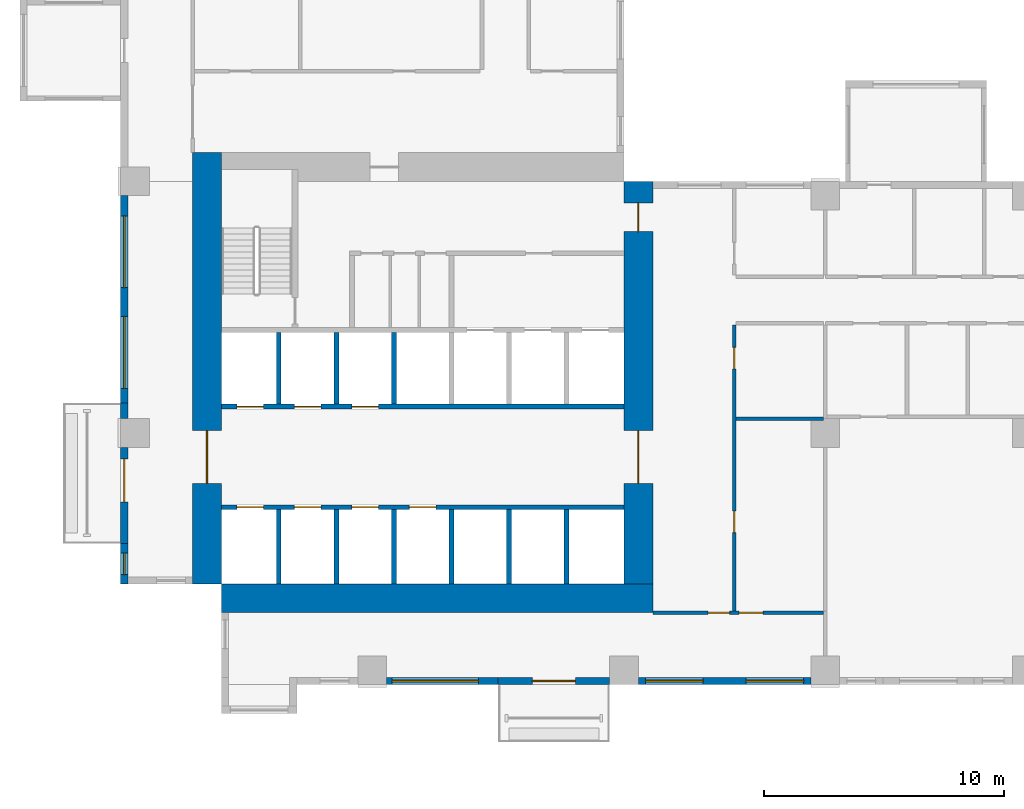
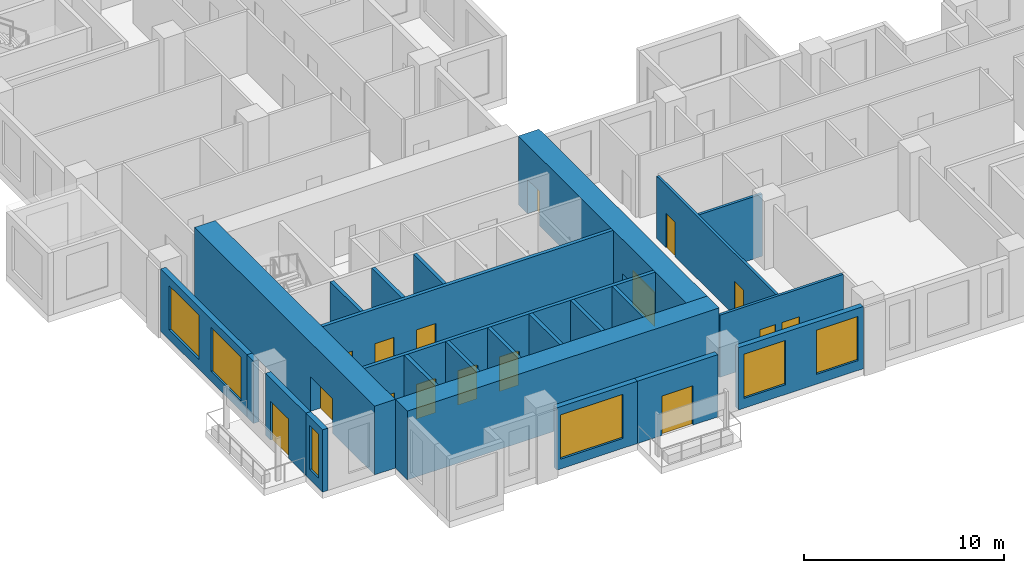
# One storey, part 2 of 14: 24 walls, 16 doors, 6 windows, 22 openings.
"""IFC4 building model written with IfcOpenShell, lengths in metres."""

from ifc_helpers import new_model, si_unit, direction, frame, frame_2d, origin, place, context, subcontext, project, spatial, rectangle, extrude, source, transform, mapped, material, layer, layer_set, type_object, element, fill, save


model = new_model("IFC4")

# Units and contexts
model_context = context("Model", 3, precision=1e-05, world=origin(), true_north=direction((0.0, 1.0)))
body_context = subcontext(model_context, "Body", "Model", "MODEL_VIEW")
ifc_project = project(units=[si_unit("LENGTHUNIT", "METRE"), si_unit("AREAUNIT", "SQUARE_METRE"), si_unit("VOLUMEUNIT", "CUBIC_METRE"), si_unit("PLANEANGLEUNIT", "RADIAN"), si_unit("MASSUNIT", "GRAM", prefix="KILO")], contexts=[model_context])

# Site, building, storey
site_placement = place(None, origin())
site = spatial("IfcSite", under=ifc_project, at=site_placement, CompositionType="ELEMENT")
building_placement = place(site_placement, origin())
building = spatial("IfcBuilding", under=site, at=building_placement, Name="Aurelian Terraces", CompositionType="ELEMENT")
storey_placement = place(building_placement, frame((0.0, 0.0, 90.9)))
storey = spatial("IfcBuildingStorey", under=building, at=storey_placement, Name="L19", CompositionType="ELEMENT", Elevation=90.9)

# Wall
ifc_material_1 = material(Name="Gypsum board on steel studs", Category="steel")
ifc_layer_1 = layer(ifc_material_1, 0.15)
ifc_layer_set_1 = layer_set([ifc_layer_1], Name="Partition 150")
wall_type_1 = type_object("IfcWallType", Name="Partition 150", PredefinedType="PARTITIONING", material=ifc_layer_set_1)
wall_1_placement = place(storey_placement, frame((29.325, 11.1, 0.0), z_axis=(0.0, 0.0, 1.0), x_axis=(-1.0, 0.0, 0.0)))
element("IfcWall", 1, at=wall_1_placement, inside=storey, type_object=wall_type_1, Name="Partition", PredefinedType="PARTITIONING", context=body_context, shape_type="SweptSolid", body=[
    extrude(rectangle(XDim=3.65, YDim=0.15, at=frame_2d((1.825, 0.0))), origin(), (0.0, 0.0, 1.0), 3.8),
])

# Wall, opening, door
ifc_material_2 = material(Name="Concrete fc' 83 MPa", Category="concrete")
ifc_layer_2 = layer(ifc_material_2, 1.2)
ifc_layer_set_2 = layer_set([ifc_layer_2], Name="CORE WALL 1200 FC83")
wall_type_2 = type_object("IfcWallType", Name="CORE WALL 1200 FC83", PredefinedType="SHEAR", material=ifc_layer_set_2)
shared_shape_1 = source(origin(), body_context, "Body", "SweptSolid", [
    extrude(rectangle(XDim=18.0, YDim=1.2, at=frame_2d((9.0, 0.0))), origin(), (0.0, 0.0, 1.0), 4.2),
])
wall_2_placement = place(storey_placement, frame((3.6, 4.2, 0.0), z_axis=(0.0, 0.0, 1.0), x_axis=(0.0, 1.0, 0.0)))
wall_2 = element("IfcWall", 2, at=wall_2_placement, inside=storey, type_object=wall_type_2, Name="Core wall W L19", PredefinedType="SHEAR", context=body_context, shape_type="MappedRepresentation", body=[
    mapped(shared_shape_1, transform((0.0, 0.0, 0.0), scale=1.0)),
])
shared_shape_2 = source(origin(), body_context, "Body", "SweptSolid", [
    extrude(rectangle(XDim=2.2, YDim=2.1, at=frame_2d((1.1, 1.05))), frame((0.0, 0.61, 0.0), z_axis=(0.0, -1.0, 0.0), x_axis=(1.0, 0.0, 0.0)), (0.0, 0.0, 1.0), 1.22),
])
opening_1_placement = place(wall_2_placement, frame((4.2, 0.0, 0.0)))
opening_1 = element("IfcOpeningElement", 3, at=opening_1_placement, cuts=wall_2, Name="Opening 62222", PredefinedType="OPENING", context=body_context, shape_type="MappedRepresentation", body=[
    mapped(shared_shape_2, transform((0.0, 0.0, 0.0), scale=1.0)),
])
ifc_material_3 = material(Name="Steel door leaf", Category="steel")
door_type_1 = type_object("IfcDoorType", Name="Core double door 2200x2100", OperationType="DOUBLE_DOOR_SINGLE_SWING", PredefinedType="DOOR", material=ifc_material_3)
shared_shape_3 = source(origin(), body_context, "Body", "SweptSolid", [
    extrude(rectangle(XDim=2.2, YDim=2.1, at=frame_2d((1.1, 1.05))), frame((0.0, 0.025, 0.0), z_axis=(0.0, -1.0, 0.0), x_axis=(1.0, 0.0, 0.0)), (0.0, 0.0, 1.0), 0.05),
])
door_1_placement = place(opening_1_placement, origin())
door_1 = element("IfcDoor", 4, at=door_1_placement, inside=storey, type_object=door_type_1, Name="Core door 62222", OperationType="DOUBLE_DOOR_SINGLE_SWING", OverallHeight=2.1, OverallWidth=2.2, PredefinedType="DOOR", context=body_context, shape_type="MappedRepresentation", body=[
    mapped(shared_shape_3, transform((0.0, 0.0, 0.0), scale=1.0)),
])
fill(opening_1, door_1)

# Wall
wall_3_placement = place(storey_placement, frame((4.2, 3.6, 0.0), z_axis=(0.0, 0.0, 1.0), x_axis=(1.0, 0.0, 0.0)))
element("IfcWall", 5, at=wall_3_placement, inside=storey, type_object=wall_type_2, Name="Core wall S L19", PredefinedType="SHEAR", context=body_context, shape_type="MappedRepresentation", body=[
    mapped(shared_shape_1, transform((0.0, 0.0, 0.0), scale=1.0)),
])

# Wall, openings, doors
shared_shape_4 = source(origin(), body_context, "Body", "SweptSolid", [
    extrude(rectangle(XDim=16.8, YDim=1.2, at=frame_2d((8.4, 0.0))), origin(), (0.0, 0.0, 1.0), 4.2),
])
wall_4_placement = place(storey_placement, frame((21.6, 4.2, 0.0), z_axis=(0.0, 0.0, 1.0), x_axis=(0.0, 1.0, 0.0)))
wall_4 = element("IfcWall", 6, at=wall_4_placement, inside=storey, type_object=wall_type_2, Name="Core wall E L19", PredefinedType="SHEAR", context=body_context, shape_type="MappedRepresentation", body=[
    mapped(shared_shape_4, transform((0.0, 0.0, 0.0), scale=1.0)),
])
opening_2_placement = place(wall_4_placement, frame((4.2, 0.0, 0.0)))
opening_2 = element("IfcOpeningElement", 7, at=opening_2_placement, cuts=wall_4, Name="Opening 62221", PredefinedType="OPENING", context=body_context, shape_type="MappedRepresentation", body=[
    mapped(shared_shape_2, transform((0.0, 0.0, 0.0), scale=1.0)),
])
shared_shape_5 = source(origin(), body_context, "Body", "SweptSolid", [
    extrude(rectangle(XDim=1.2, YDim=2.1, at=frame_2d((0.6, 1.05))), frame((0.0, 0.61, 0.0), z_axis=(0.0, -1.0, 0.0), x_axis=(1.0, 0.0, 0.0)), (0.0, 0.0, 1.0), 1.22),
])
opening_3_placement = place(wall_4_placement, frame((14.7, 0.0, 0.0)))
opening_3 = element("IfcOpeningElement", 8, at=opening_3_placement, cuts=wall_4, Name="Opening 62224", PredefinedType="OPENING", context=body_context, shape_type="MappedRepresentation", body=[
    mapped(shared_shape_5, transform((0.0, 0.0, 0.0), scale=1.0)),
])
door_type_2 = type_object("IfcDoorType", Name="Core fire door 1200x2100 right", OperationType="SINGLE_SWING_RIGHT", PredefinedType="DOOR", material=ifc_material_3)
shared_shape_6 = source(origin(), body_context, "Body", "SweptSolid", [
    extrude(rectangle(XDim=1.2, YDim=2.1, at=frame_2d((0.6, 1.05))), frame((0.0, 0.025, 0.0), z_axis=(0.0, -1.0, 0.0), x_axis=(1.0, 0.0, 0.0)), (0.0, 0.0, 1.0), 0.05),
])
door_2_placement = place(opening_3_placement, origin())
door_2 = element("IfcDoor", 9, at=door_2_placement, inside=storey, type_object=door_type_2, Name="Core door 62224", OperationType="SINGLE_SWING_RIGHT", OverallHeight=2.1, OverallWidth=1.2, PredefinedType="DOOR", context=body_context, shape_type="MappedRepresentation", body=[
    mapped(shared_shape_6, transform((0.0, 0.0, 0.0), scale=1.0)),
])
fill(opening_3, door_2)
door_3_placement = place(opening_2_placement, origin())
door_3 = element("IfcDoor", 10, at=door_3_placement, inside=storey, type_object=door_type_1, Name="Core door 62221", OperationType="DOUBLE_DOOR_SINGLE_SWING", OverallHeight=2.1, OverallWidth=2.2, PredefinedType="DOOR", context=body_context, shape_type="MappedRepresentation", body=[
    mapped(shared_shape_3, transform((0.0, 0.0, 0.0), scale=1.0)),
])
fill(opening_2, door_3)

# Wall, opening, window
ifc_material_4 = material(Name="Terracotta rainscreen cladding", Category="masonry")
ifc_layer_3 = layer(ifc_material_4, 0.3)
ifc_layer_set_3 = layer_set([ifc_layer_3], Name="EW-300")
wall_type_3 = type_object("IfcWallType", Name="EW-300", PredefinedType="STANDARD", material=ifc_layer_set_3)
shared_shape_7 = source(origin(), body_context, "Body", "SweptSolid", [
    extrude(rectangle(XDim=4.65, YDim=0.3, at=frame_2d((2.325, 0.0))), origin(), (0.0, 0.0, 1.0), 3.8),
])
wall_5_placement = place(storey_placement, frame((11.1, 0.15, 0.0), z_axis=(0.0, 0.0, 1.0), x_axis=(1.0, 0.0, 0.0)))
wall_5 = element("IfcWall", 11, at=wall_5_placement, inside=storey, type_object=wall_type_3, Name="External wall L19 F01.3", PredefinedType="STANDARD", context=body_context, shape_type="MappedRepresentation", body=[
    mapped(shared_shape_7, transform((0.0, 0.0, 0.0), scale=1.0)),
])
shared_shape_8 = source(origin(), body_context, "Body", "SweptSolid", [
    extrude(rectangle(XDim=3.6, YDim=2.7, at=frame_2d((1.8, 1.35))), frame((0.0, 0.16, 0.0), z_axis=(0.0, -1.0, 0.0), x_axis=(1.0, 0.0, 0.0)), (0.0, 0.0, 1.0), 0.32),
])
opening_4_placement = place(wall_5_placement, frame((0.225, 0.0, 0.6)))
opening_4 = element("IfcOpeningElement", 12, at=opening_4_placement, cuts=wall_5, Name="Opening W3627", PredefinedType="OPENING", context=body_context, shape_type="MappedRepresentation", body=[
    mapped(shared_shape_8, transform((0.0, 0.0, 0.0), scale=1.0)),
])
ifc_material_5 = material(Name="Clear glazing", Category="glass")
window_type_1 = type_object("IfcWindowType", Name="W-3600x2700", PartitioningType="SINGLE_PANEL", PredefinedType="WINDOW", material=ifc_material_5)
shared_shape_9 = source(origin(), body_context, "Body", "SweptSolid", [
    extrude(rectangle(XDim=3.6, YDim=2.7, at=frame_2d((1.8, 1.35))), frame((0.0, 0.03, 0.0), z_axis=(0.0, -1.0, 0.0), x_axis=(1.0, 0.0, 0.0)), (0.0, 0.0, 1.0), 0.06),
])
window_1_placement = place(opening_4_placement, origin())
window_1 = element("IfcWindow", 13, at=window_1_placement, inside=storey, type_object=window_type_1, Name="Window L19 L19-F01-03-0", OverallHeight=2.7, OverallWidth=3.6, PartitioningType="SINGLE_PANEL", PredefinedType="WINDOW", context=body_context, shape_type="MappedRepresentation", body=[
    mapped(shared_shape_9, transform((0.0, 0.0, 0.0), scale=1.0)),
])
fill(opening_4, window_1)

# Wall, opening, door
wall_6_placement = place(storey_placement, frame((15.75, 0.15, 0.0), z_axis=(0.0, 0.0, 1.0), x_axis=(1.0, 0.0, 0.0)))
wall_6 = element("IfcWall", 14, at=wall_6_placement, inside=storey, type_object=wall_type_3, Name="External wall L19 F01.4", PredefinedType="STANDARD", context=body_context, shape_type="MappedRepresentation", body=[
    mapped(shared_shape_7, transform((0.0, 0.0, 0.0), scale=1.0)),
])
shared_shape_10 = source(origin(), body_context, "Body", "SweptSolid", [
    extrude(rectangle(XDim=1.8, YDim=2.4, at=frame_2d((0.9, 1.2))), frame((0.0, 0.16, 0.0), z_axis=(0.0, -1.0, 0.0), x_axis=(1.0, 0.0, 0.0)), (0.0, 0.0, 1.0), 0.32),
])
opening_5_placement = place(wall_6_placement, frame((1.425, 0.0, 0.0)))
opening_5 = element("IfcOpeningElement", 15, at=opening_5_placement, cuts=wall_6, Name="Opening 81901", PredefinedType="OPENING", context=body_context, shape_type="MappedRepresentation", body=[
    mapped(shared_shape_10, transform((0.0, 0.0, 0.0), scale=1.0)),
])
door_type_3 = type_object("IfcDoorType", Name="BD-1800x2400", OperationType="SLIDING_TO_LEFT", PredefinedType="DOOR", material=ifc_material_5)
shared_shape_11 = source(origin(), body_context, "Body", "SweptSolid", [
    extrude(rectangle(XDim=1.8, YDim=2.4, at=frame_2d((0.9, 1.2))), frame((0.0, 0.025, 0.0), z_axis=(0.0, -1.0, 0.0), x_axis=(1.0, 0.0, 0.0)), (0.0, 0.0, 1.0), 0.05),
])
door_4_placement = place(opening_5_placement, origin())
door_4 = element("IfcDoor", 16, at=door_4_placement, inside=storey, type_object=door_type_3, Name="Balcony door L19 F01.4", OperationType="SLIDING_TO_LEFT", OverallHeight=2.4, OverallWidth=1.8, PredefinedType="DOOR", context=body_context, shape_type="MappedRepresentation", body=[
    mapped(shared_shape_11, transform((0.0, 0.0, 0.0), scale=1.0)),
])
fill(opening_5, door_4)

# Wall, openings, windows
shared_shape_12 = source(origin(), body_context, "Body", "SweptSolid", [
    extrude(rectangle(XDim=7.2, YDim=0.3, at=frame_2d((3.6, 0.0))), origin(), (0.0, 0.0, 1.0), 3.8),
])
wall_7_placement = place(storey_placement, frame((21.6, 0.15, 0.0), z_axis=(0.0, 0.0, 1.0), x_axis=(1.0, 0.0, 0.0)))
wall_7 = element("IfcWall", 17, at=wall_7_placement, inside=storey, type_object=wall_type_3, Name="External wall L19 F01.5", PredefinedType="STANDARD", context=body_context, shape_type="MappedRepresentation", body=[
    mapped(shared_shape_12, transform((0.0, 0.0, 0.0), scale=1.0)),
])
shared_shape_13 = source(origin(), body_context, "Body", "SweptSolid", [
    extrude(rectangle(XDim=2.4, YDim=2.7, at=frame_2d((1.2, 1.35))), frame((0.0, 0.16, 0.0), z_axis=(0.0, -1.0, 0.0), x_axis=(1.0, 0.0, 0.0)), (0.0, 0.0, 1.0), 0.32),
])
opening_6_placement = place(wall_7_placement, frame((0.3, 0.0, 0.6)))
opening_6 = element("IfcOpeningElement", 18, at=opening_6_placement, cuts=wall_7, Name="Opening W2427", PredefinedType="OPENING", context=body_context, shape_type="MappedRepresentation", body=[
    mapped(shared_shape_13, transform((0.0, 0.0, 0.0), scale=1.0)),
])
opening_7_placement = place(wall_7_placement, frame((4.5, 0.0, 0.6)))
opening_7 = element("IfcOpeningElement", 19, at=opening_7_placement, cuts=wall_7, Name="Opening W2427", PredefinedType="OPENING", context=body_context, shape_type="MappedRepresentation", body=[
    mapped(shared_shape_13, transform((0.0, 0.0, 0.0), scale=1.0)),
])
window_type_2 = type_object("IfcWindowType", Name="W-2400x2700", PartitioningType="SINGLE_PANEL", PredefinedType="WINDOW", material=ifc_material_5)
shared_shape_14 = source(origin(), body_context, "Body", "SweptSolid", [
    extrude(rectangle(XDim=2.4, YDim=2.7, at=frame_2d((1.2, 1.35))), frame((0.0, 0.03, 0.0), z_axis=(0.0, -1.0, 0.0), x_axis=(1.0, 0.0, 0.0)), (0.0, 0.0, 1.0), 0.06),
])
window_2_placement = place(opening_6_placement, origin())
window_2 = element("IfcWindow", 20, at=window_2_placement, inside=storey, type_object=window_type_2, Name="Window L19 L19-F01-05-0", OverallHeight=2.7, OverallWidth=2.4, PartitioningType="SINGLE_PANEL", PredefinedType="WINDOW", context=body_context, shape_type="MappedRepresentation", body=[
    mapped(shared_shape_14, transform((0.0, 0.0, 0.0), scale=1.0)),
])
fill(opening_6, window_2)
window_3_placement = place(opening_7_placement, origin())
window_3 = element("IfcWindow", 21, at=window_3_placement, inside=storey, type_object=window_type_2, Name="Window L19 L19-F01-05-1", OverallHeight=2.7, OverallWidth=2.4, PartitioningType="SINGLE_PANEL", PredefinedType="WINDOW", context=body_context, shape_type="MappedRepresentation", body=[
    mapped(shared_shape_14, transform((0.0, 0.0, 0.0), scale=1.0)),
])
fill(opening_7, window_3)

# Wall, opening, window
shared_shape_15 = source(origin(), body_context, "Body", "SweptSolid", [
    extrude(rectangle(XDim=1.68, YDim=0.3, at=frame_2d((0.84, 0.0))), origin(), (0.0, 0.0, 1.0), 3.8),
])
wall_8_placement = place(storey_placement, frame((0.15, 5.88, 0.0), z_axis=(0.0, 0.0, 1.0), x_axis=(0.0, -1.0, 0.0)))
wall_8 = element("IfcWall", 22, at=wall_8_placement, inside=storey, type_object=wall_type_3, Name="External wall L19 F14.37", PredefinedType="STANDARD", context=body_context, shape_type="MappedRepresentation", body=[
    mapped(shared_shape_15, transform((0.0, 0.0, 0.0), scale=1.0)),
])
shared_shape_16 = source(origin(), body_context, "Body", "SweptSolid", [
    extrude(rectangle(XDim=0.9, YDim=2.7, at=frame_2d((0.45, 1.35))), frame((0.0, 0.16, 0.0), z_axis=(0.0, -1.0, 0.0), x_axis=(1.0, 0.0, 0.0)), (0.0, 0.0, 1.0), 0.32),
])
opening_8_placement = place(wall_8_placement, frame((0.39, 0.0, 0.6)))
opening_8 = element("IfcOpeningElement", 23, at=opening_8_placement, cuts=wall_8, Name="Opening W0927", PredefinedType="OPENING", context=body_context, shape_type="MappedRepresentation", body=[
    mapped(shared_shape_16, transform((0.0, 0.0, 0.0), scale=1.0)),
])
window_type_3 = type_object("IfcWindowType", Name="W-900x2700", PartitioningType="SINGLE_PANEL", PredefinedType="WINDOW", material=ifc_material_5)
shared_shape_17 = source(origin(), body_context, "Body", "SweptSolid", [
    extrude(rectangle(XDim=0.9, YDim=2.7, at=frame_2d((0.45, 1.35))), frame((0.0, 0.03, 0.0), z_axis=(0.0, -1.0, 0.0), x_axis=(1.0, 0.0, 0.0)), (0.0, 0.0, 1.0), 0.06),
])
window_4_placement = place(opening_8_placement, origin())
window_4 = element("IfcWindow", 24, at=window_4_placement, inside=storey, type_object=window_type_3, Name="Window L19 L19-F14-37-P0", OverallHeight=2.7, OverallWidth=0.9, PartitioningType="SINGLE_PANEL", PredefinedType="WINDOW", context=body_context, shape_type="MappedRepresentation", body=[
    mapped(shared_shape_17, transform((0.0, 0.0, 0.0), scale=1.0)),
])
fill(opening_8, window_4)

# Wall, openings, windows
shared_shape_18 = source(origin(), body_context, "Body", "SweptSolid", [
    extrude(rectangle(XDim=8.64, YDim=0.3, at=frame_2d((4.32, 0.0))), origin(), (0.0, 0.0, 1.0), 3.8),
])
wall_9_placement = place(storey_placement, frame((0.15, 20.4, 0.0), z_axis=(0.0, 0.0, 1.0), x_axis=(0.0, -1.0, 0.0)))
wall_9 = element("IfcWall", 25, at=wall_9_placement, inside=storey, type_object=wall_type_3, Name="External wall L19 F14.35", PredefinedType="STANDARD", context=body_context, shape_type="MappedRepresentation", body=[
    mapped(shared_shape_18, transform((0.0, 0.0, 0.0), scale=1.0)),
])
shared_shape_19 = source(origin(), body_context, "Body", "SweptSolid", [
    extrude(rectangle(XDim=3.0, YDim=2.7, at=frame_2d((1.5, 1.35))), frame((0.0, 0.16, 0.0), z_axis=(0.0, -1.0, 0.0), x_axis=(1.0, 0.0, 0.0)), (0.0, 0.0, 1.0), 0.32),
])
opening_9_placement = place(wall_9_placement, frame((0.84, 0.0, 0.6)))
opening_9 = element("IfcOpeningElement", 26, at=opening_9_placement, cuts=wall_9, Name="Opening W3027", PredefinedType="OPENING", context=body_context, shape_type="MappedRepresentation", body=[
    mapped(shared_shape_19, transform((0.0, 0.0, 0.0), scale=1.0)),
])
opening_10_placement = place(wall_9_placement, frame((5.04, 0.0, 0.6)))
opening_10 = element("IfcOpeningElement", 27, at=opening_10_placement, cuts=wall_9, Name="Opening W3027", PredefinedType="OPENING", context=body_context, shape_type="MappedRepresentation", body=[
    mapped(shared_shape_19, transform((0.0, 0.0, 0.0), scale=1.0)),
])
window_type_4 = type_object("IfcWindowType", Name="W-3000x2700", PartitioningType="SINGLE_PANEL", PredefinedType="WINDOW", material=ifc_material_5)
shared_shape_20 = source(origin(), body_context, "Body", "SweptSolid", [
    extrude(rectangle(XDim=3.0, YDim=2.7, at=frame_2d((1.5, 1.35))), frame((0.0, 0.03, 0.0), z_axis=(0.0, -1.0, 0.0), x_axis=(1.0, 0.0, 0.0)), (0.0, 0.0, 1.0), 0.06),
])
window_5_placement = place(opening_9_placement, origin())
window_5 = element("IfcWindow", 28, at=window_5_placement, inside=storey, type_object=window_type_4, Name="Window L19 L19-F14-35-8", OverallHeight=2.7, OverallWidth=3.0, PartitioningType="SINGLE_PANEL", PredefinedType="WINDOW", context=body_context, shape_type="MappedRepresentation", body=[
    mapped(shared_shape_20, transform((0.0, 0.0, 0.0), scale=1.0)),
])
fill(opening_9, window_5)
window_6_placement = place(opening_10_placement, origin())
window_6 = element("IfcWindow", 29, at=window_6_placement, inside=storey, type_object=window_type_4, Name="Window L19 L19-F14-35-9", OverallHeight=2.7, OverallWidth=3.0, PartitioningType="SINGLE_PANEL", PredefinedType="WINDOW", context=body_context, shape_type="MappedRepresentation", body=[
    mapped(shared_shape_20, transform((0.0, 0.0, 0.0), scale=1.0)),
])
fill(opening_10, window_6)

# Wall
shared_shape_21 = source(origin(), body_context, "Body", "SweptSolid", [
    extrude(rectangle(XDim=0.66, YDim=0.3, at=frame_2d((0.33, 0.0))), origin(), (0.0, 0.0, 1.0), 3.8),
])
wall_10_placement = place(storey_placement, frame((0.15, 11.76, 0.0), z_axis=(0.0, 0.0, 1.0), x_axis=(0.0, -1.0, 0.0)))
element("IfcWall", 30, at=wall_10_placement, inside=storey, type_object=wall_type_3, Name="External wall L19 F14.36", PredefinedType="STANDARD", context=body_context, shape_type="MappedRepresentation", body=[
    mapped(shared_shape_21, transform((0.0, 0.0, 0.0), scale=1.0)),
])

# Wall, opening, door
shared_shape_22 = source(origin(), body_context, "Body", "SweptSolid", [
    extrude(rectangle(XDim=4.02, YDim=0.3, at=frame_2d((2.01, 0.0))), origin(), (0.0, 0.0, 1.0), 3.8),
])
wall_11_placement = place(storey_placement, frame((0.15, 9.9, 0.0), z_axis=(0.0, 0.0, 1.0), x_axis=(0.0, -1.0, 0.0)))
wall_11 = element("IfcWall", 31, at=wall_11_placement, inside=storey, type_object=wall_type_3, Name="External wall L19 F14.36", PredefinedType="STANDARD", context=body_context, shape_type="MappedRepresentation", body=[
    mapped(shared_shape_22, transform((0.0, 0.0, 0.0), scale=1.0)),
])
opening_11_placement = place(wall_11_placement, frame((0.48, 0.0, 0.0)))
opening_11 = element("IfcOpeningElement", 32, at=opening_11_placement, cuts=wall_11, Name="Opening 81905", PredefinedType="OPENING", context=body_context, shape_type="MappedRepresentation", body=[
    mapped(shared_shape_10, transform((0.0, 0.0, 0.0), scale=1.0)),
])
door_5_placement = place(opening_11_placement, origin())
door_5 = element("IfcDoor", 33, at=door_5_placement, inside=storey, type_object=door_type_3, Name="Balcony door L19 F14.36", OperationType="SLIDING_TO_LEFT", OverallHeight=2.4, OverallWidth=1.8, PredefinedType="DOOR", context=body_context, shape_type="MappedRepresentation", body=[
    mapped(shared_shape_11, transform((0.0, 0.0, 0.0), scale=1.0)),
])
fill(opening_11, door_5)

# Walls
ifc_material_6 = material(Name="Concrete fc' 40 MPa", Category="concrete")
ifc_layer_4 = layer(ifc_material_6, 0.2)
ifc_layer_set_4 = layer_set([ifc_layer_4], Name="Lift shaft wall 200")
wall_type_4 = type_object("IfcWallType", Name="Lift shaft wall 200", PredefinedType="SOLIDWALL", material=ifc_layer_set_4)
shared_shape_23 = source(origin(), body_context, "Body", "SweptSolid", [
    extrude(rectangle(XDim=3.1, YDim=0.2, at=frame_2d((1.55, 0.0))), origin(), (0.0, 0.0, 1.0), 4.2),
])
for number, where, z_axis, x_axis, name in (
    (34, (6.6, 4.2, 0.0), (0.0, 0.0, 1.0), (0.0, 1.0, 0.0), "L19 core wall CD-A1"),
    (35, (9.0, 4.2, 0.0), (0.0, 0.0, 1.0), (0.0, 1.0, 0.0), "L19 core wall CD-A2"),
    (36, (11.4, 4.2, 0.0), (0.0, 0.0, 1.0), (0.0, 1.0, 0.0), "L19 core wall CD-A3"),
    (37, (13.8, 4.2, 0.0), (0.0, 0.0, 1.0), (0.0, 1.0, 0.0), "L19 core wall CD-A4"),
    (38, (16.2, 4.2, 0.0), (0.0, 0.0, 1.0), (0.0, 1.0, 0.0), "L19 core wall CD-A5"),
    (39, (18.6, 4.2, 0.0), (0.0, 0.0, 1.0), (0.0, 1.0, 0.0), "L19 core wall CD-A6"),
):
    element("IfcWall", number, at=place(storey_placement, frame(where, z_axis=z_axis, x_axis=x_axis)), inside=storey, type_object=wall_type_4, Name=name, PredefinedType="SOLIDWALL", context=body_context, shape_type="MappedRepresentation", body=[
        mapped(shared_shape_23, transform((0.0, 0.0, 0.0), scale=1.0)),
    ])
shared_shape_24 = source(origin(), body_context, "Body", "SweptSolid", [
    extrude(rectangle(XDim=3.0, YDim=0.2, at=frame_2d((1.5, 0.0))), origin(), (0.0, 0.0, 1.0), 4.2),
])
for number, where, z_axis, x_axis, name in (
    (40, (6.6, 11.7, 0.0), (0.0, 0.0, 1.0), (0.0, 1.0, 0.0), "L19 core wall CD-B1"),
    (41, (9.0, 11.7, 0.0), (0.0, 0.0, 1.0), (0.0, 1.0, 0.0), "L19 core wall CD-B2"),
    (42, (11.4, 11.7, 0.0), (0.0, 0.0, 1.0), (0.0, 1.0, 0.0), "L19 core wall CD-B3"),
):
    element("IfcWall", number, at=place(storey_placement, frame(where, z_axis=z_axis, x_axis=x_axis)), inside=storey, type_object=wall_type_4, Name=name, PredefinedType="SOLIDWALL", context=body_context, shape_type="MappedRepresentation", body=[
        mapped(shared_shape_24, transform((0.0, 0.0, 0.0), scale=1.0)),
    ])

# Wall, openings, doors
shared_shape_25 = source(origin(), body_context, "Body", "SweptSolid", [
    extrude(rectangle(XDim=16.8, YDim=0.2, at=frame_2d((8.4, 0.0))), origin(), (0.0, 0.0, 1.0), 4.2),
])
wall_12_placement = place(storey_placement, frame((4.2, 7.4, 0.0), z_axis=(0.0, 0.0, 1.0), x_axis=(1.0, 0.0, 0.0)))
wall_12 = element("IfcWall", 43, at=wall_12_placement, inside=storey, type_object=wall_type_4, Name="L19 core wall CF-AF1", PredefinedType="SOLIDWALL", context=body_context, shape_type="MappedRepresentation", body=[
    mapped(shared_shape_25, transform((0.0, 0.0, 0.0), scale=1.0)),
])
shared_shape_26 = source(origin(), body_context, "Body", "SweptSolid", [
    extrude(rectangle(XDim=1.1, YDim=2.1, at=frame_2d((0.55, 1.05))), frame((0.0, 0.11, 0.0), z_axis=(0.0, -1.0, 0.0), x_axis=(1.0, 0.0, 0.0)), (0.0, 0.0, 1.0), 0.22),
])
opening_12_placement = place(wall_12_placement, frame((0.65, 0.0, 0.0)))
opening_12 = element("IfcOpeningElement", 44, at=opening_12_placement, cuts=wall_12, Name="Opening 62200", PredefinedType="OPENING", context=body_context, shape_type="MappedRepresentation", body=[
    mapped(shared_shape_26, transform((0.0, 0.0, 0.0), scale=1.0)),
])
opening_13_placement = place(wall_12_placement, frame((3.05, 0.0, 0.0)))
opening_13 = element("IfcOpeningElement", 45, at=opening_13_placement, cuts=wall_12, Name="Opening 62201", PredefinedType="OPENING", context=body_context, shape_type="MappedRepresentation", body=[
    mapped(shared_shape_26, transform((0.0, 0.0, 0.0), scale=1.0)),
])
opening_14_placement = place(wall_12_placement, frame((5.45, 0.0, 0.0)))
opening_14 = element("IfcOpeningElement", 46, at=opening_14_placement, cuts=wall_12, Name="Opening 62202", PredefinedType="OPENING", context=body_context, shape_type="MappedRepresentation", body=[
    mapped(shared_shape_26, transform((0.0, 0.0, 0.0), scale=1.0)),
])
opening_15_placement = place(wall_12_placement, frame((7.85, 0.0, 0.0)))
opening_15 = element("IfcOpeningElement", 47, at=opening_15_placement, cuts=wall_12, Name="Opening 62203", PredefinedType="OPENING", context=body_context, shape_type="MappedRepresentation", body=[
    mapped(shared_shape_26, transform((0.0, 0.0, 0.0), scale=1.0)),
])
ifc_material_7 = material(Name="Stainless steel", Category="steel")
door_type_4 = type_object("IfcDoorType", Name="Lift landing door 1100x2100", OperationType="SLIDING_TO_LEFT", PredefinedType="DOOR", material=ifc_material_7)
shared_shape_27 = source(origin(), body_context, "Body", "SweptSolid", [
    extrude(rectangle(XDim=1.1, YDim=2.1, at=frame_2d((0.55, 1.05))), frame((0.0, 0.025, 0.0), z_axis=(0.0, -1.0, 0.0), x_axis=(1.0, 0.0, 0.0)), (0.0, 0.0, 1.0), 0.05),
])
door_6_placement = place(opening_12_placement, origin())
door_6 = element("IfcDoor", 48, at=door_6_placement, inside=storey, type_object=door_type_4, Name="Lift landing door LL1 L19", OperationType="SLIDING_TO_LEFT", OverallHeight=2.1, OverallWidth=1.1, PredefinedType="DOOR", context=body_context, shape_type="MappedRepresentation", body=[
    mapped(shared_shape_27, transform((0.0, 0.0, 0.0), scale=1.0)),
])
fill(opening_12, door_6)
door_7_placement = place(opening_13_placement, origin())
door_7 = element("IfcDoor", 49, at=door_7_placement, inside=storey, type_object=door_type_4, Name="Lift landing door LL2 L19", OperationType="SLIDING_TO_LEFT", OverallHeight=2.1, OverallWidth=1.1, PredefinedType="DOOR", context=body_context, shape_type="MappedRepresentation", body=[
    mapped(shared_shape_27, transform((0.0, 0.0, 0.0), scale=1.0)),
])
fill(opening_13, door_7)
door_8_placement = place(opening_14_placement, origin())
door_8 = element("IfcDoor", 50, at=door_8_placement, inside=storey, type_object=door_type_4, Name="Lift landing door LL3 L19", OperationType="SLIDING_TO_LEFT", OverallHeight=2.1, OverallWidth=1.1, PredefinedType="DOOR", context=body_context, shape_type="MappedRepresentation", body=[
    mapped(shared_shape_27, transform((0.0, 0.0, 0.0), scale=1.0)),
])
fill(opening_14, door_8)
door_9_placement = place(opening_15_placement, origin())
door_9 = element("IfcDoor", 51, at=door_9_placement, inside=storey, type_object=door_type_4, Name="Lift landing door LL4 L19", OperationType="SLIDING_TO_LEFT", OverallHeight=2.1, OverallWidth=1.1, PredefinedType="DOOR", context=body_context, shape_type="MappedRepresentation", body=[
    mapped(shared_shape_27, transform((0.0, 0.0, 0.0), scale=1.0)),
])
fill(opening_15, door_9)

wall_13_placement = place(storey_placement, frame((4.2, 11.6, 0.0), z_axis=(0.0, 0.0, 1.0), x_axis=(1.0, 0.0, 0.0)))
wall_13 = element("IfcWall", 52, at=wall_13_placement, inside=storey, type_object=wall_type_4, Name="L19 core wall CF-BF1", PredefinedType="SOLIDWALL", context=body_context, shape_type="MappedRepresentation", body=[
    mapped(shared_shape_25, transform((0.0, 0.0, 0.0), scale=1.0)),
])
opening_16_placement = place(wall_13_placement, frame((0.65, 0.0, 0.0)))
opening_16 = element("IfcOpeningElement", 53, at=opening_16_placement, cuts=wall_13, Name="Opening 62204", PredefinedType="OPENING", context=body_context, shape_type="MappedRepresentation", body=[
    mapped(shared_shape_26, transform((0.0, 0.0, 0.0), scale=1.0)),
])
opening_17_placement = place(wall_13_placement, frame((3.05, 0.0, 0.0)))
opening_17 = element("IfcOpeningElement", 54, at=opening_17_placement, cuts=wall_13, Name="Opening 62205", PredefinedType="OPENING", context=body_context, shape_type="MappedRepresentation", body=[
    mapped(shared_shape_26, transform((0.0, 0.0, 0.0), scale=1.0)),
])
opening_18_placement = place(wall_13_placement, frame((5.45, 0.0, 0.0)))
opening_18 = element("IfcOpeningElement", 55, at=opening_18_placement, cuts=wall_13, Name="Opening 62206", PredefinedType="OPENING", context=body_context, shape_type="MappedRepresentation", body=[
    mapped(shared_shape_26, transform((0.0, 0.0, 0.0), scale=1.0)),
])
door_10_placement = place(opening_16_placement, origin())
door_10 = element("IfcDoor", 56, at=door_10_placement, inside=storey, type_object=door_type_4, Name="Lift landing door LL5 L19", OperationType="SLIDING_TO_LEFT", OverallHeight=2.1, OverallWidth=1.1, PredefinedType="DOOR", context=body_context, shape_type="MappedRepresentation", body=[
    mapped(shared_shape_27, transform((0.0, 0.0, 0.0), scale=1.0)),
])
fill(opening_16, door_10)
door_11_placement = place(opening_17_placement, origin())
door_11 = element("IfcDoor", 57, at=door_11_placement, inside=storey, type_object=door_type_4, Name="Lift landing door LL6 L19", OperationType="SLIDING_TO_LEFT", OverallHeight=2.1, OverallWidth=1.1, PredefinedType="DOOR", context=body_context, shape_type="MappedRepresentation", body=[
    mapped(shared_shape_27, transform((0.0, 0.0, 0.0), scale=1.0)),
])
fill(opening_17, door_11)
door_12_placement = place(opening_18_placement, origin())
door_12 = element("IfcDoor", 58, at=door_12_placement, inside=storey, type_object=door_type_4, Name="Lift landing door LL7 L19", OperationType="SLIDING_TO_LEFT", OverallHeight=2.1, OverallWidth=1.1, PredefinedType="DOOR", context=body_context, shape_type="MappedRepresentation", body=[
    mapped(shared_shape_27, transform((0.0, 0.0, 0.0), scale=1.0)),
])
fill(opening_18, door_12)

shared_shape_28 = source(origin(), body_context, "Body", "SweptSolid", [
    extrude(rectangle(XDim=11.925, YDim=0.15, at=frame_2d((5.9625, 0.0))), origin(), (0.0, 0.0, 1.0), 3.8),
])
wall_14_placement = place(storey_placement, frame((25.6, 15.0, 0.0), z_axis=(0.0, 0.0, 1.0), x_axis=(0.0, -1.0, 0.0)))
wall_14 = element("IfcWall", 59, at=wall_14_placement, inside=storey, type_object=wall_type_1, Name="Partition", PredefinedType="PARTITIONING", context=body_context, shape_type="MappedRepresentation", body=[
    mapped(shared_shape_28, transform((0.0, 0.0, 0.0), scale=1.0)),
])
shared_shape_29 = source(origin(), body_context, "Body", "SweptSolid", [
    extrude(rectangle(XDim=0.9, YDim=2.1, at=frame_2d((0.45, 1.05))), frame((0.0, 0.085, 0.0), z_axis=(0.0, -1.0, 0.0), x_axis=(1.0, 0.0, 0.0)), (0.0, 0.0, 1.0), 0.17),
])
opening_19_placement = place(wall_14_placement, frame((7.7625, 0.0, 0.0)))
opening_19 = element("IfcOpeningElement", 60, at=opening_19_placement, cuts=wall_14, Name="Opening 719001", PredefinedType="OPENING", context=body_context, shape_type="MappedRepresentation", body=[
    mapped(shared_shape_29, transform((0.0, 0.0, 0.0), scale=1.0)),
])
opening_20_placement = place(wall_14_placement, frame((0.925, 0.0, 0.0)))
opening_20 = element("IfcOpeningElement", 61, at=opening_20_placement, cuts=wall_14, Name="Opening 719002", PredefinedType="OPENING", context=body_context, shape_type="MappedRepresentation", body=[
    mapped(shared_shape_29, transform((0.0, 0.0, 0.0), scale=1.0)),
])
ifc_material_8 = material(Name="Timber door leaf", Category="wood")
door_type_5 = type_object("IfcDoorType", Name="Room door 900x2100 left", OperationType="SINGLE_SWING_LEFT", PredefinedType="DOOR", material=ifc_material_8)
shared_shape_30 = source(origin(), body_context, "Body", "SweptSolid", [
    extrude(rectangle(XDim=0.9, YDim=2.1, at=frame_2d((0.45, 1.05))), frame((0.0, 0.025, 0.0), z_axis=(0.0, -1.0, 0.0), x_axis=(1.0, 0.0, 0.0)), (0.0, 0.0, 1.0), 0.05),
])
door_13_placement = place(opening_19_placement, origin())
door_13 = element("IfcDoor", 62, at=door_13_placement, inside=storey, type_object=door_type_5, Name="Door 719001", OperationType="SINGLE_SWING_LEFT", OverallHeight=2.1, OverallWidth=0.9, PredefinedType="DOOR", context=body_context, shape_type="MappedRepresentation", body=[
    mapped(shared_shape_30, transform((0.0, 0.0, 0.0), scale=1.0)),
])
fill(opening_19, door_13)
door_type_6 = type_object("IfcDoorType", Name="Room door 900x2100 right", OperationType="SINGLE_SWING_RIGHT", PredefinedType="DOOR", material=ifc_material_8)
door_14_placement = place(opening_20_placement, origin())
door_14 = element("IfcDoor", 63, at=door_14_placement, inside=storey, type_object=door_type_6, Name="Door 719002", OperationType="SINGLE_SWING_RIGHT", OverallHeight=2.1, OverallWidth=0.9, PredefinedType="DOOR", context=body_context, shape_type="MappedRepresentation", body=[
    mapped(shared_shape_30, transform((0.0, 0.0, 0.0), scale=1.0)),
])
fill(opening_20, door_14)

shared_shape_31 = source(origin(), body_context, "Body", "SweptSolid", [
    extrude(rectangle(XDim=7.125, YDim=0.15, at=frame_2d((3.5625, 0.0))), origin(), (0.0, 0.0, 1.0), 3.8),
])
wall_15_placement = place(storey_placement, frame((22.2, 3.0, 0.0), z_axis=(0.0, 0.0, 1.0), x_axis=(1.0, 0.0, 0.0)))
wall_15 = element("IfcWall", 64, at=wall_15_placement, inside=storey, type_object=wall_type_1, Name="Partition", PredefinedType="PARTITIONING", context=body_context, shape_type="MappedRepresentation", body=[
    mapped(shared_shape_31, transform((0.0, 0.0, 0.0), scale=1.0)),
])
shared_shape_32 = source(origin(), body_context, "Body", "SweptSolid", [
    extrude(rectangle(XDim=1.0, YDim=2.1, at=frame_2d((0.5, 1.05))), frame((0.0, 0.085, 0.0), z_axis=(0.0, -1.0, 0.0), x_axis=(1.0, 0.0, 0.0)), (0.0, 0.0, 1.0), 0.17),
])
opening_21_placement = place(wall_15_placement, frame((3.6, 0.0, 0.0)))
opening_21 = element("IfcOpeningElement", 65, at=opening_21_placement, cuts=wall_15, Name="Opening 719004", PredefinedType="OPENING", context=body_context, shape_type="MappedRepresentation", body=[
    mapped(shared_shape_32, transform((0.0, 0.0, 0.0), scale=1.0)),
])
opening_22_placement = place(wall_15_placement, frame((2.312, 0.0, 0.0)))
opening_22 = element("IfcOpeningElement", 66, at=opening_22_placement, cuts=wall_15, Name="Opening 719047", PredefinedType="OPENING", context=body_context, shape_type="MappedRepresentation", body=[
    mapped(shared_shape_29, transform((0.0, 0.0, 0.0), scale=1.0)),
])
door_type_7 = type_object("IfcDoorType", Name="Room door 1000x2100 right", OperationType="SINGLE_SWING_RIGHT", PredefinedType="DOOR", material=ifc_material_8)
shared_shape_33 = source(origin(), body_context, "Body", "SweptSolid", [
    extrude(rectangle(XDim=1.0, YDim=2.1, at=frame_2d((0.5, 1.05))), frame((0.0, 0.025, 0.0), z_axis=(0.0, -1.0, 0.0), x_axis=(1.0, 0.0, 0.0)), (0.0, 0.0, 1.0), 0.05),
])
door_15_placement = place(opening_21_placement, origin())
door_15 = element("IfcDoor", 67, at=door_15_placement, inside=storey, type_object=door_type_7, Name="Door 719004", OperationType="SINGLE_SWING_RIGHT", OverallHeight=2.1, OverallWidth=1.0, PredefinedType="DOOR", context=body_context, shape_type="MappedRepresentation", body=[
    mapped(shared_shape_33, transform((0.0, 0.0, 0.0), scale=1.0)),
])
fill(opening_21, door_15)
door_16_placement = place(opening_22_placement, origin())
door_16 = element("IfcDoor", 68, at=door_16_placement, inside=storey, type_object=door_type_5, Name="Door 719047", OperationType="SINGLE_SWING_LEFT", OverallHeight=2.1, OverallWidth=0.9, PredefinedType="DOOR", context=body_context, shape_type="MappedRepresentation", body=[
    mapped(shared_shape_30, transform((0.0, 0.0, 0.0), scale=1.0)),
])
fill(opening_22, door_16)

save(model, "model.ifc")
